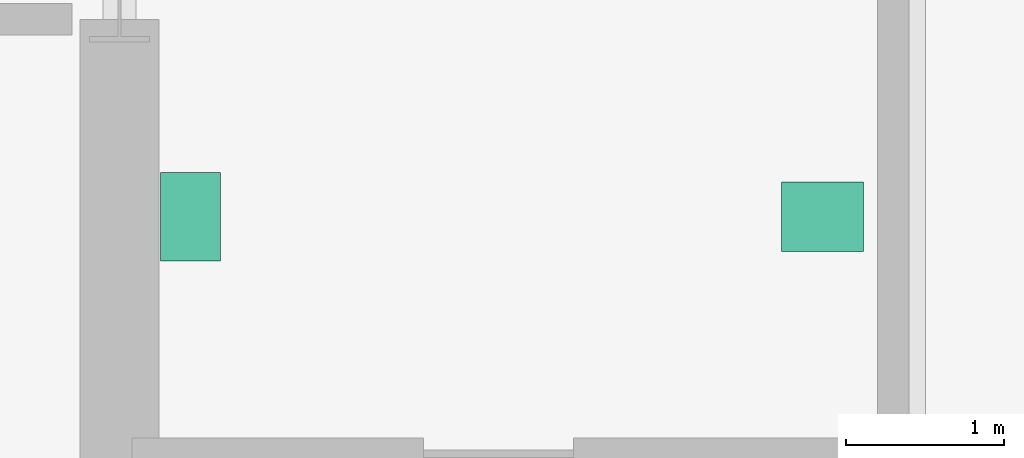
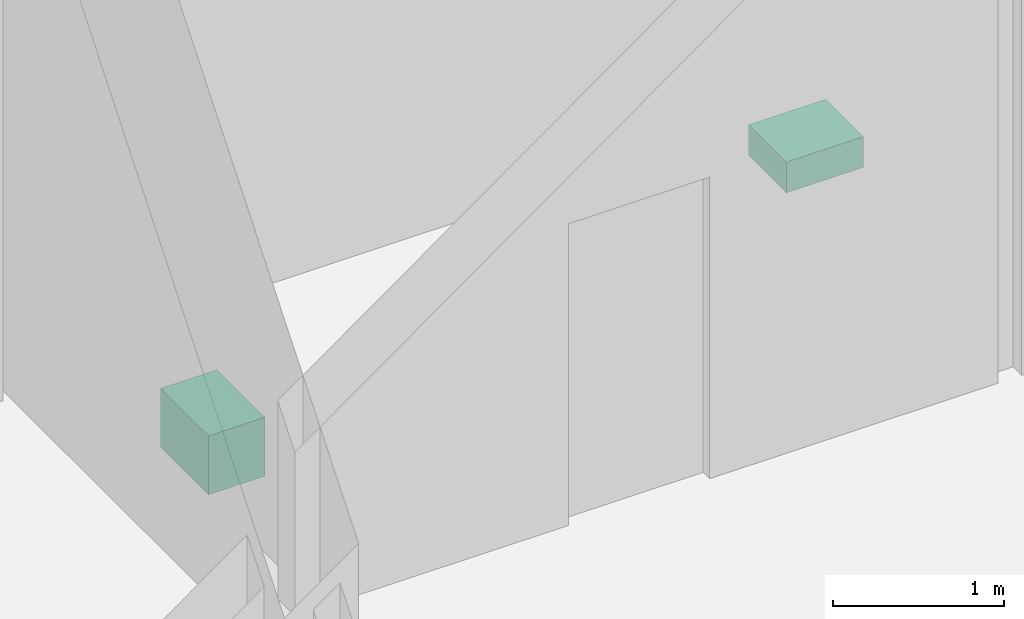
# One storey, part 22 of 22: 2 sanitary terminals.
"""IFC4 building model written with IfcOpenShell, lengths in metres."""

from ifc_helpers import new_model, si_unit, direction, frame, origin, origin_2d, place, context, subcontext, project, spatial, rectangle, extrude, material, type_object, element, save


model = new_model("IFC4")

# Units and contexts
model_context = context("Model", 3, precision=1e-05, world=origin(), true_north=direction((0.0, 1.0)))
body_context = subcontext(model_context, "Body", "Model", "MODEL_VIEW")
ifc_project = project(units=[si_unit("LENGTHUNIT", "METRE"), si_unit("AREAUNIT", "SQUARE_METRE"), si_unit("VOLUMEUNIT", "CUBIC_METRE"), si_unit("PLANEANGLEUNIT", "RADIAN"), si_unit("MASSUNIT", "GRAM", prefix="KILO")], contexts=[model_context])

# Site, building, storey
site_placement = place(None, origin())
site = spatial("IfcSite", under=ifc_project, at=site_placement, CompositionType="ELEMENT")
building_placement = place(site_placement, origin())
building = spatial("IfcBuilding", under=site, at=building_placement, Name="Barlavira Tower and Art Museum", CompositionType="ELEMENT")
storey_placement = place(building_placement, frame((0.0, 0.0, 258.300048828125)))
storey = spatial("IfcBuildingStorey", under=building, at=storey_placement, Name="L67", CompositionType="ELEMENT", Elevation=258.300048828125)

# Sanitary terminals
ifc_material = material(Name="Vitreous glazed ceramic", Category="ceramic")
sanitary_terminal_type_1 = type_object("IfcSanitaryTerminalType", Name="Countertop Ceramic Wash Hand Basin", PredefinedType="WASHHANDBASIN", material=ifc_material)
sanitary_terminal_1_placement = place(storey_placement, frame((10.949951171875, 6.0, 0.73974609375), z_axis=(0.0, 0.0, 1.0), x_axis=(1.0, 0.0, 0.0)))
element("IfcSanitaryTerminal", 1, at=sanitary_terminal_1_placement, inside=storey, type_object=sanitary_terminal_type_1, Name="L67-E-AWC Wash Basin", PredefinedType="WASHHANDBASIN", context=body_context, shape_type="SweptSolid", body=[
    extrude(rectangle(XDim=0.52001953125, YDim=0.43994140625, at=origin_2d()), origin(), (0.0, 0.0, 1.0), 0.219970703125),
])
sanitary_terminal_type_2 = type_object("IfcSanitaryTerminalType", Name="Wall-Hung Dual-Flush Vitreous WC Pan", PredefinedType="TOILETPAN", material=ifc_material)
sanitary_terminal_2_placement = place(storey_placement, frame((6.949951171875, 6.0, 0.0), z_axis=(0.0, 0.0, 1.0), x_axis=(1.0, 0.0, 0.0)))
element("IfcSanitaryTerminal", 2, at=sanitary_terminal_2_placement, inside=storey, type_object=sanitary_terminal_type_2, Name="L67-E-AWC WC Pan", PredefinedType="TOILETPAN", context=body_context, shape_type="SweptSolid", body=[
    extrude(rectangle(XDim=0.3798828125, YDim=0.56005859375, at=origin_2d()), origin(), (0.0, 0.0, 1.0), 0.419921875),
])

save(model, "model.ifc")
